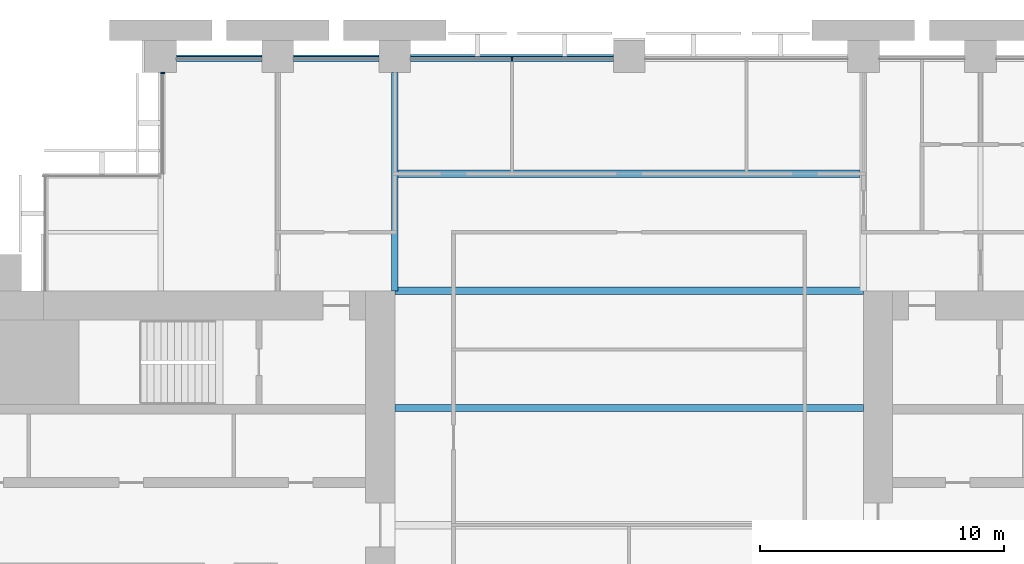
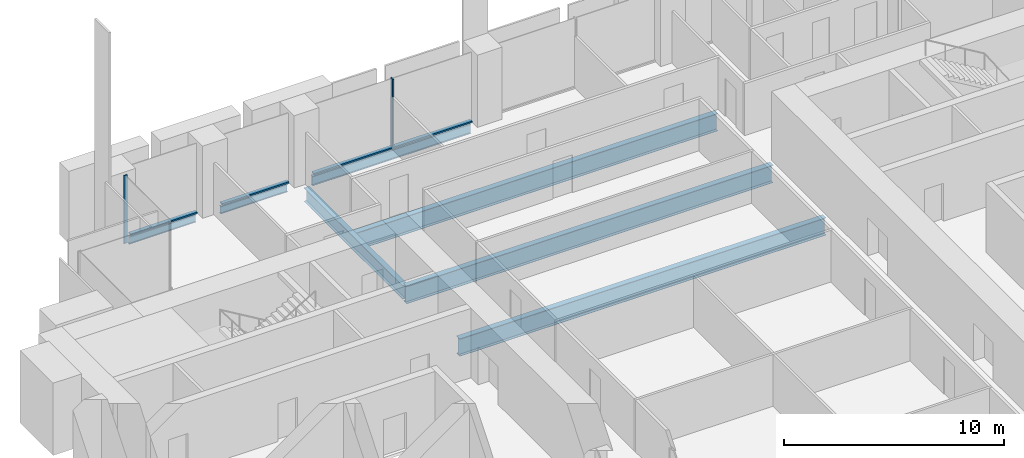
# One storey, part 6 of 14: 7 beams, 5 members, 2 elements without a shape of their own.
"""IFC4 building model written with IfcOpenShell, lengths in metres."""

from ifc_helpers import new_model, si_unit, direction, frame, origin, origin_2d, place, context, subcontext, project, spatial, rectangle, i_section, extrude, material, material_profile, profile_set, type_object, element, aggregate, save


model = new_model("IFC4")

# Units and contexts
model_context = context("Model", 3, precision=1e-05, world=origin(), true_north=direction((0.0, 1.0)))
body_context = subcontext(model_context, "Body", "Model", "MODEL_VIEW")
ifc_project = project(units=[si_unit("LENGTHUNIT", "METRE"), si_unit("AREAUNIT", "SQUARE_METRE"), si_unit("VOLUMEUNIT", "CUBIC_METRE"), si_unit("PLANEANGLEUNIT", "RADIAN"), si_unit("MASSUNIT", "GRAM", prefix="KILO")], contexts=[model_context])

# Site, building, storey
site_placement = place(None, origin())
site = spatial("IfcSite", under=ifc_project, at=site_placement, CompositionType="ELEMENT")
building_placement = place(site_placement, origin())
building = spatial("IfcBuilding", under=site, at=building_placement, Name="Baori Bourse Tower", CompositionType="ELEMENT")
storey_placement = place(building_placement, frame((0.0, 0.0, 75.0)))
storey = spatial("IfcBuildingStorey", under=building, at=storey_placement, Name="L16", CompositionType="ELEMENT", Elevation=75.0)

# Curtain wall, members
ifc_material_1 = material(Name="Pale anodised aluminium", Category="aluminium")
curtain_wall_type_1 = type_object("IfcCurtainWallType", Name="CW1 Curtain wall", PredefinedType="NOTDEFINED", material=ifc_material_1)
curtain_wall_1_placement = place(storey_placement, origin())
curtain_wall_1 = element("IfcCurtainWall", 1, at=curtain_wall_1_placement, inside=storey, type_object=curtain_wall_type_1, Name="Curtain wall CW1 L16 4", PredefinedType="NOTDEFINED")
ifc_material_2 = material(Name="Pale anodised aluminium", Category="aluminium")
ifc_material_profile_1 = material_profile(ifc_material_2, rectangle(XDim=0.199951171875, YDim=0.06005859375, at=origin_2d()), Name="Mullion 60x200")
ifc_profile_set_1 = profile_set([ifc_material_profile_1], Name="Pale anodised aluminium")
member_type_1 = type_object("IfcMemberType", Name="CW1 Curtain wall mullion", PredefinedType="MULLION", material=ifc_profile_set_1)
member_1_placement = place(storey_placement, frame((24.0, 47.89990234375, 0.080078125), z_axis=(0.0, 0.0, 1.0), x_axis=(0.0, -1.0, 0.0)))
member_1 = element("IfcMember", 2, at=member_1_placement, type_object=member_type_1, Name="Curtain wall CW1 mullion", PredefinedType="MULLION", context=body_context, shape_type="SweptSolid", body=[
    extrude(rectangle(XDim=0.199951171875, YDim=0.06005859375, at=origin_2d()), origin(), (0.0, 0.0, 1.0), 3.760009765625),
])
ifc_material_3 = material(Name="Pale anodised aluminium", Category="aluminium")
ifc_material_profile_2 = material_profile(ifc_material_3, rectangle(XDim=0.199951171875, YDim=0.080078125, at=origin_2d()), Name="Transom 80x200")
ifc_profile_set_2 = profile_set([ifc_material_profile_2], Name="Pale anodised aluminium")
member_type_2 = type_object("IfcMemberType", Name="CW1 Curtain wall transom", PredefinedType="USERDEFINED", material=ifc_profile_set_2)
member_2_placement = place(storey_placement, frame((28.14990234375, 47.89990234375, 0.0400390625), z_axis=(-1.0, 0.0, 0.0), x_axis=(0.0, -1.0, 0.0)))
member_2 = element("IfcMember", 3, at=member_2_placement, type_object=member_type_2, Name="Curtain wall CW1 sill rail", ObjectType="TRANSOM", PredefinedType="USERDEFINED", context=body_context, shape_type="SweptSolid", body=[
    extrude(rectangle(XDim=0.199951171875, YDim=0.080078125, at=origin_2d()), origin(), (0.0, 0.0, 1.0), 8.2998046875),
])
member_3_placement = place(storey_placement, frame((18.550048828125, 47.89990234375, 0.0400390625), z_axis=(-1.0, 0.0, 0.0), x_axis=(0.0, -1.0, 0.0)))
member_3 = element("IfcMember", 4, at=member_3_placement, type_object=member_type_2, Name="Curtain wall CW1 sill rail", ObjectType="TRANSOM", PredefinedType="USERDEFINED", context=body_context, shape_type="SweptSolid", body=[
    extrude(rectangle(XDim=0.199951171875, YDim=0.080078125, at=origin_2d()), origin(), (0.0, 0.0, 1.0), 3.5),
])
member_4_placement = place(storey_placement, frame((13.75, 47.89990234375, 0.0400390625), z_axis=(-1.0, 0.0, 0.0), x_axis=(0.0, -1.0, 0.0)))
member_4 = element("IfcMember", 5, at=member_4_placement, type_object=member_type_2, Name="Curtain wall CW1 sill rail", ObjectType="TRANSOM", PredefinedType="USERDEFINED", context=body_context, shape_type="SweptSolid", body=[
    extrude(rectangle(XDim=0.199951171875, YDim=0.080078125, at=origin_2d()), origin(), (0.0, 0.0, 1.0), 3.5),
])
aggregate(curtain_wall_1, [member_2, member_1, member_3, member_4])

# Curtain wall, member
ifc_material_4 = material(Name="Pale anodised aluminium", Category="aluminium")
curtain_wall_type_2 = type_object("IfcCurtainWallType", Name="CW2 Curtain wall", PredefinedType="NOTDEFINED", material=ifc_material_4)
curtain_wall_2_placement = place(storey_placement, origin())
curtain_wall_2 = element("IfcCurtainWall", 6, at=curtain_wall_2_placement, inside=storey, type_object=curtain_wall_type_2, Name="Curtain wall CW2 L16 5", PredefinedType="NOTDEFINED")
ifc_material_5 = material(Name="Pale anodised aluminium", Category="aluminium")
ifc_material_profile_3 = material_profile(ifc_material_5, rectangle(XDim=0.179931640625, YDim=0.054931640625, at=origin_2d()), Name="Mullion 55x180")
ifc_profile_set_3 = profile_set([ifc_material_profile_3], Name="Pale anodised aluminium")
member_type_3 = type_object("IfcMemberType", Name="CW2 Curtain wall mullion", PredefinedType="MULLION", material=ifc_profile_set_3)
member_5_placement = place(storey_placement, frame((9.68994140625, 47.322509765625, 0.070068359375), z_axis=(0.0, 0.0, 1.0), x_axis=(1.0, 0.0, 0.0)))
member_5 = element("IfcMember", 7, at=member_5_placement, type_object=member_type_3, Name="Curtain wall CW2 mullion", PredefinedType="MULLION", context=body_context, shape_type="SweptSolid", body=[
    extrude(rectangle(XDim=0.179931640625, YDim=0.054931640625, at=origin_2d()), origin(), (0.0, 0.0, 1.0), 3.77001953125),
])
aggregate(curtain_wall_2, [member_5])

# Beams
ifc_material_6 = material(Name="Steel A992 Gr 50", Category="steel")
ifc_material_profile_4 = material_profile(ifc_material_6, i_section(OverallWidth=0.140380859375, OverallDepth=0.40380859375, WebThickness=0.007080078125, FlangeThickness=0.01123046875, at=origin_2d()), Name="W16x31")
ifc_profile_set_4 = profile_set([ifc_material_profile_4], Name="Steel A992 Gr 50")
beam_type_1 = type_object("IfcBeamType", Name="Edge beam W16x31", PredefinedType="BEAM", material=ifc_profile_set_4)
for number, where, z_axis, x_axis, name in (
    (8, (10.25, 48.0, -0.36181640625), (1.0, 0.0, 0.0), (0.0, 1.0, 0.0), "Edge beam L16"),
    (9, (15.050048828125, 48.0, -0.36181640625), (1.0, 0.0, 0.0), (0.0, 1.0, 0.0), "Edge beam L16"),
):
    element("IfcBeam", number, at=place(storey_placement, frame(where, z_axis=z_axis, x_axis=x_axis)), inside=storey, type_object=beam_type_1, Name=name, PredefinedType="BEAM", context=body_context, shape_type="SweptSolid", body=[
        extrude(i_section(OverallWidth=0.140380859375, OverallDepth=0.40380859375, WebThickness=0.007080078125, FlangeThickness=0.01123046875, at=origin_2d()), origin(), (0.0, 0.0, 1.0), 3.5),
    ])
ifc_material_7 = material(Name="Steel A992 Gr 50", Category="steel")
ifc_material_profile_5 = material_profile(ifc_material_7, i_section(OverallWidth=0.1650390625, OverallDepth=0.52587890625, WebThickness=0.0087890625, FlangeThickness=0.011474609375, at=origin_2d()), Name="W21x44")
ifc_profile_set_5 = profile_set([ifc_material_profile_5], Name="Steel A992 Gr 50")
beam_type_2 = type_object("IfcBeamType", Name="Edge beam W21x44", PredefinedType="BEAM", material=ifc_profile_set_5)
beam_1_placement = place(storey_placement, frame((19.85009765625, 48.0, -0.4228515625), z_axis=(1.0, 0.0, 0.0), x_axis=(0.0, 1.0, 0.0)))
element("IfcBeam", 10, at=beam_1_placement, inside=storey, type_object=beam_type_2, Name="Edge beam L16", PredefinedType="BEAM", context=body_context, shape_type="SweptSolid", body=[
    extrude(i_section(OverallWidth=0.1650390625, OverallDepth=0.52587890625, WebThickness=0.0087890625, FlangeThickness=0.011474609375, at=origin_2d()), origin(), (0.0, 0.0, 1.0), 8.2998046875),
])
ifc_material_8 = material(Name="Steel A992 Gr 50", Category="steel")
ifc_material_profile_6 = material_profile(ifc_material_8, i_section(OverallWidth=0.2998046875, OverallDepth=0.97021484375, WebThickness=0.01611328125, FlangeThickness=0.02099609375, at=origin_2d()), Name="W40x149")
ifc_profile_set_6 = profile_set([ifc_material_profile_6], Name="Steel A992 Gr 50")
beam_type_3 = type_object("IfcBeamType", Name="Floor beam W40x149", PredefinedType="BEAM", material=ifc_profile_set_6)
for number, where, z_axis, x_axis, name in (
    (11, (19.199951171875, 33.60009765625, -0.64501953125), (1.0, 0.0, 0.0), (0.0, 1.0, 0.0), "Floor beam L16"),
    (12, (19.199951171875, 38.39990234375, -0.64501953125), (1.0, 0.0, 0.0), (0.0, 1.0, 0.0), "Floor beam L16"),
):
    element("IfcBeam", number, at=place(storey_placement, frame(where, z_axis=z_axis, x_axis=x_axis)), inside=storey, type_object=beam_type_3, Name=name, PredefinedType="BEAM", context=body_context, shape_type="SweptSolid", body=[
        extrude(i_section(OverallWidth=0.2998046875, OverallDepth=0.97021484375, WebThickness=0.01611328125, FlangeThickness=0.02099609375, at=origin_2d()), origin(), (0.0, 0.0, 1.0), 19.199951171875),
    ])
beam_2_placement = place(storey_placement, frame((19.333251953125, 43.199951171875, -0.64501953125), z_axis=(1.0, 0.0, 0.0), x_axis=(0.0, 1.0, 0.0)))
element("IfcBeam", 13, at=beam_2_placement, inside=storey, type_object=beam_type_3, Name="Floor beam L16", PredefinedType="BEAM", context=body_context, shape_type="SweptSolid", body=[
    extrude(i_section(OverallWidth=0.2998046875, OverallDepth=0.97021484375, WebThickness=0.01611328125, FlangeThickness=0.02099609375, at=origin_2d()), origin(), (0.0, 0.0, 1.0), 18.933349609375),
])
ifc_material_9 = material(Name="Steel A992 Gr 50", Category="steel")
ifc_material_profile_7 = material_profile(ifc_material_9, i_section(OverallWidth=0.2666015625, OverallDepth=0.7568359375, WebThickness=0.013916015625, FlangeThickness=0.019287109375, at=origin_2d()), Name="W30x108")
ifc_profile_set_7 = profile_set([ifc_material_profile_7], Name="Steel A992 Gr 50")
beam_type_4 = type_object("IfcBeamType", Name="Girder W30x108", PredefinedType="BEAM", material=ifc_profile_set_7)
beam_3_placement = place(storey_placement, frame((19.199951171875, 38.39990234375, -0.53857421875), z_axis=(0.0, 1.0, 0.0), x_axis=(-1.0, 0.0, 0.0)))
element("IfcBeam", 14, at=beam_3_placement, inside=storey, type_object=beam_type_4, Name="Girder L16", PredefinedType="BEAM", context=body_context, shape_type="SweptSolid", body=[
    extrude(i_section(OverallWidth=0.2666015625, OverallDepth=0.7568359375, WebThickness=0.013916015625, FlangeThickness=0.019287109375, at=origin_2d()), origin(), (0.0, 0.0, 1.0), 8.9501953125),
])

save(model, "model.ifc")
